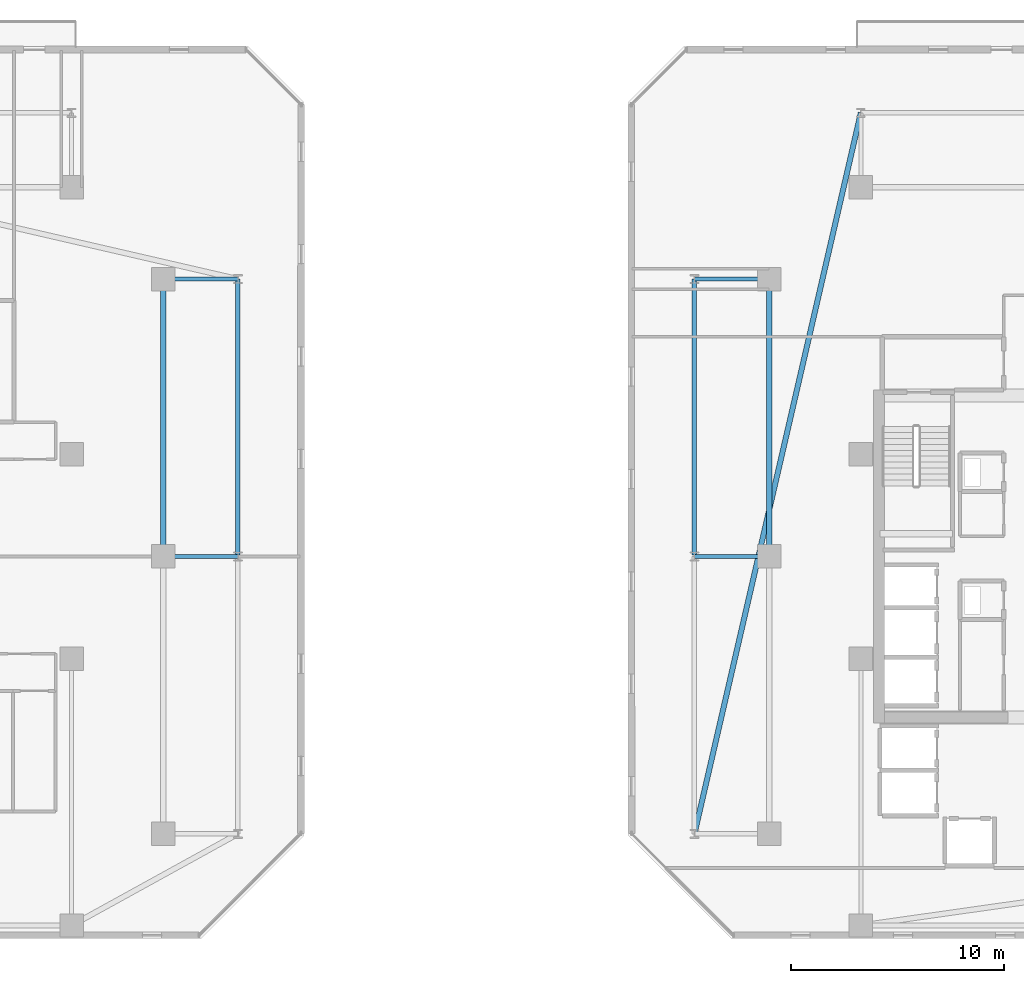
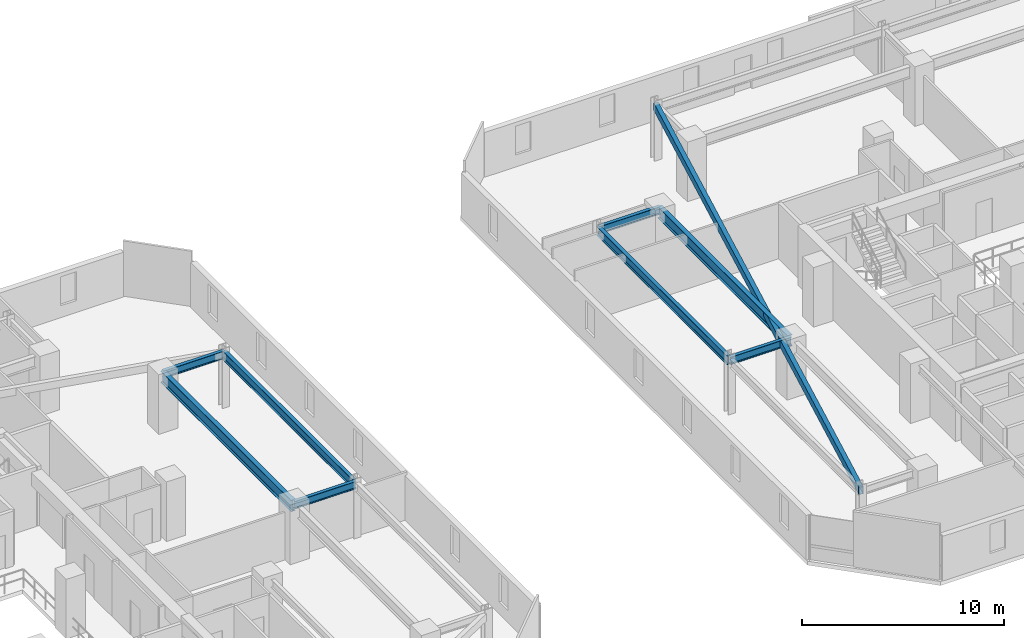
# One storey, part 7 of 33: 9 beams.
"""IFC4 building model written with IfcOpenShell, lengths in metres."""

from ifc_helpers import new_model, si_unit, direction, frame, origin, origin_2d, place, context, subcontext, project, spatial, hollow_rectangle, i_section, extrude, material, material_profile, profile_set, type_object, element, save


model = new_model("IFC4")

# Units and contexts
model_context = context("Model", 3, precision=1e-05, world=origin(), true_north=direction((0.0, 1.0)))
body_context = subcontext(model_context, "Body", "Model", "MODEL_VIEW")
ifc_project = project(units=[si_unit("LENGTHUNIT", "METRE"), si_unit("AREAUNIT", "SQUARE_METRE"), si_unit("VOLUMEUNIT", "CUBIC_METRE"), si_unit("PLANEANGLEUNIT", "RADIAN"), si_unit("MASSUNIT", "GRAM", prefix="KILO")], contexts=[model_context])

# Site, building, storey
site_placement = place(None, origin())
site = spatial("IfcSite", under=ifc_project, at=site_placement, CompositionType="ELEMENT")
building_placement = place(site_placement, origin())
building = spatial("IfcBuilding", under=site, at=building_placement, Name="Thornwick Lancets Civic Towers", CompositionType="ELEMENT")
storey_placement = place(building_placement, frame((0.0, 0.0, 192.89990234375)))
storey = spatial("IfcBuildingStorey", under=building, at=storey_placement, Name="L51", CompositionType="ELEMENT", Elevation=192.89990234375)

# Beams
ifc_material = material(Name="Steel S355JR", Category="steel")
ifc_material_profile_1 = material_profile(ifc_material, i_section(OverallWidth=0.210693359375, OverallDepth=0.53955078125, WebThickness=0.01171875, FlangeThickness=0.018798828125, FilletRadius=0.0126953125, at=origin_2d()), Name="UKB 533x210x109")
ifc_profile_set_1 = profile_set([ifc_material_profile_1], Name="Steel S355JR")
beam_type_1 = type_object("IfcBeamType", Name="BM_EDGE_533_109", PredefinedType="SPANDREL", material=ifc_profile_set_1)
for number, where, z_axis, x_axis, name in (
    (1, (46.300048828125, 27.080078125, 3.09033203125), (0.0, 1.0, 0.0), (-1.0, 0.0, 0.0), "BM-EDGE-L51-A-S1-2"),
    (2, (67.699951171875, 27.080078125, 3.09033203125), (0.0, 1.0, 0.0), (-1.0, 0.0, 0.0), "BM-EDGE-L51-B-S2-2"),
):
    element("IfcBeam", number, at=place(storey_placement, frame(where, z_axis=z_axis, x_axis=x_axis)), inside=storey, type_object=beam_type_1, Name=name, PredefinedType="SPANDREL", context=body_context, shape_type="SweptSolid", body=[
        extrude(i_section(OverallWidth=0.210693359375, OverallDepth=0.53955078125, WebThickness=0.01171875, FlangeThickness=0.018798828125, FilletRadius=0.0126953125, at=origin_2d()), origin(), (0.0, 0.0, 1.0), 12.919921875),
    ])
ifc_material_profile_2 = material_profile(ifc_material, i_section(OverallWidth=0.255859375, OverallDepth=0.69287109375, WebThickness=0.014404296875, FlangeThickness=0.023681640625, FilletRadius=0.01513671875, at=origin_2d()), Name="UKB 686x254x170")
ifc_profile_set_2 = profile_set([ifc_material_profile_2], Name="Steel S355JR")
beam_type_2 = type_object("IfcBeamType", Name="BM_GIRD_686_170", PredefinedType="BEAM", material=ifc_profile_set_2)
for number, where, z_axis, x_axis, name in (
    (3, (42.800048828125, 27.080078125, 3.013671875), (0.0, 1.0, 0.0), (-1.0, 0.0, 0.0), "BM-SPINE-L51-A-4-5"),
    (4, (71.199951171875, 27.080078125, 3.013671875), (0.0, 1.0, 0.0), (-1.0, 0.0, 0.0), "BM-SPINE-L51-B-7-8"),
):
    element("IfcBeam", number, at=place(storey_placement, frame(where, z_axis=z_axis, x_axis=x_axis)), inside=storey, type_object=beam_type_2, Name=name, PredefinedType="BEAM", context=body_context, shape_type="SweptSolid", body=[
        extrude(i_section(OverallWidth=0.255859375, OverallDepth=0.69287109375, WebThickness=0.014404296875, FlangeThickness=0.023681640625, FilletRadius=0.01513671875, at=origin_2d()), origin(), (0.0, 0.0, 1.0), 12.919921875),
    ])
ifc_material_profile_3 = material_profile(ifc_material, i_section(OverallWidth=0.19189453125, OverallDepth=0.46337890625, WebThickness=0.010498046875, FlangeThickness=0.017578125, FilletRadius=0.01025390625, at=origin_2d()), Name="UKB 457x191x89")
ifc_profile_set_3 = profile_set([ifc_material_profile_3], Name="Steel S355JR")
beam_type_3 = type_object("IfcBeamType", Name="BM_JOIST_457_89", PredefinedType="JOIST", material=ifc_profile_set_3)
for number, where, z_axis, x_axis, name in (
    (5, (42.800048828125, 27.0, 3.12841796875), (1.0, 0.0, 0.0), (0.0, 1.0, 0.0), "BM-RAD-L51-A05"),
    (6, (42.800048828125, 40.0, 3.12841796875), (1.0, 0.0, 0.0), (0.0, 1.0, 0.0), "BM-RAD-L51-A06"),
    (7, (71.199951171875, 27.0, 3.12841796875), (-1.0, 0.0, 0.0), (0.0, -1.0, 0.0), "BM-RAD-L51-B08"),
    (8, (71.199951171875, 40.0, 3.12841796875), (-1.0, 0.0, 0.0), (0.0, -1.0, 0.0), "BM-RAD-L51-B09"),
):
    element("IfcBeam", number, at=place(storey_placement, frame(where, z_axis=z_axis, x_axis=x_axis)), inside=storey, type_object=beam_type_3, Name=name, PredefinedType="JOIST", context=body_context, shape_type="SweptSolid", body=[
        extrude(i_section(OverallWidth=0.19189453125, OverallDepth=0.46337890625, WebThickness=0.010498046875, FlangeThickness=0.017578125, FilletRadius=0.01025390625, at=origin_2d()), origin(), (0.0, 0.0, 1.0), 3.5),
    ])
ifc_material_profile_4 = material_profile(ifc_material, hollow_rectangle(XDim=0.25, YDim=0.449951171875, WallThickness=0.01611328125, at=origin_2d()), Name="RHS 450x250x16")
ifc_profile_set_4 = profile_set([ifc_material_profile_4], Name="Steel S355JR")
beam_type_4 = type_object("IfcBeamType", Name="BM_RING_RHS450", PredefinedType="BEAM", material=ifc_profile_set_4)
beam_placement = place(storey_placement, frame((75.5, 47.800048828125, 3.135009765625), z_axis=(-0.224860534737, -0.974390958454, 0.0), x_axis=(0.974390958454, -0.224860534737, 0.0)))
element("IfcBeam", 9, at=beam_placement, inside=storey, type_object=beam_type_4, Name="BM-CHAMF-L51-B-C1", PredefinedType="BEAM", context=body_context, shape_type="SweptSolid", body=[
    extrude(hollow_rectangle(XDim=0.25, YDim=0.449951171875, WallThickness=0.01611328125, at=origin_2d()), origin(), (0.0, 0.0, 1.0), 34.6884765625),
])

save(model, "model.ifc")
